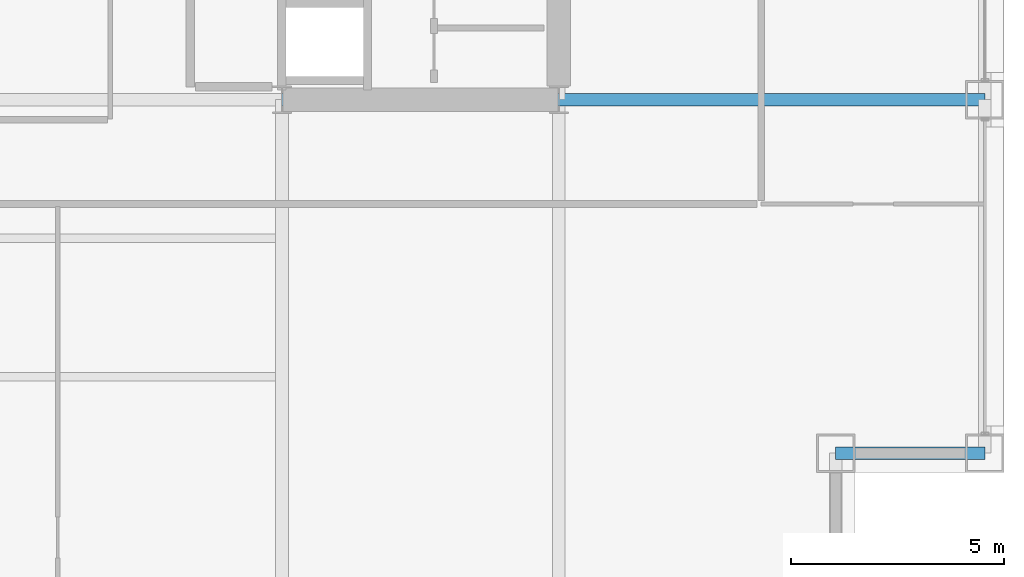
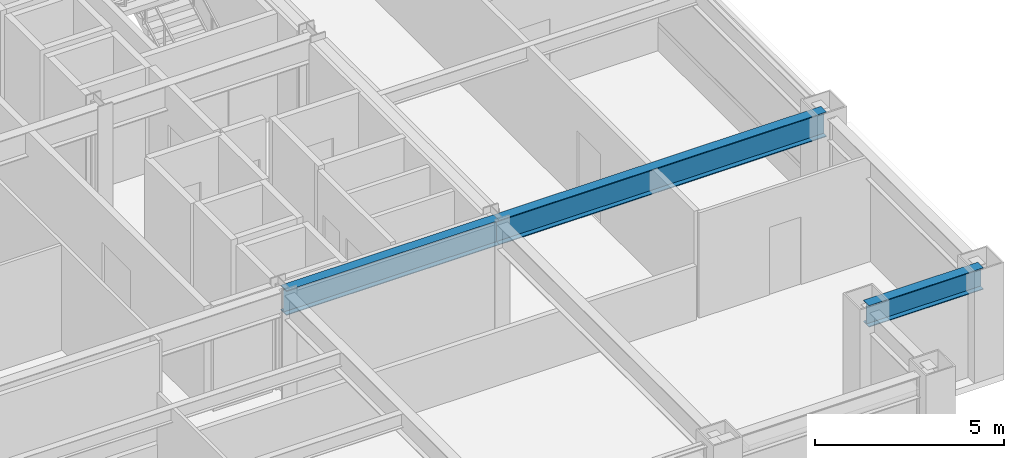
# One storey, part 12 of 29: 3 beams.
"""IFC4 building model written with IfcOpenShell, lengths in metres."""

from ifc_helpers import new_model, si_unit, direction, frame, origin, origin_2d, place, context, subcontext, project, spatial, i_section, extrude, material, material_profile, profile_set, type_object, element, save


model = new_model("IFC4")

# Units and contexts
model_context = context("Model", 3, precision=1e-05, world=origin(), true_north=direction((0.0, 1.0)))
body_context = subcontext(model_context, "Body", "Model", "MODEL_VIEW")
ifc_project = project(units=[si_unit("LENGTHUNIT", "METRE"), si_unit("AREAUNIT", "SQUARE_METRE"), si_unit("VOLUMEUNIT", "CUBIC_METRE"), si_unit("PLANEANGLEUNIT", "RADIAN"), si_unit("MASSUNIT", "GRAM", prefix="KILO")], contexts=[model_context])

# Site, building, storey
site_placement = place(None, origin())
site = spatial("IfcSite", under=ifc_project, at=site_placement, CompositionType="ELEMENT")
building_placement = place(site_placement, origin())
building = spatial("IfcBuilding", under=site, at=building_placement, Name="Brelmoor Portico Tower", CompositionType="ELEMENT")
storey_placement = place(building_placement, frame((0.0, 0.0, 52.800048828125)))
storey = spatial("IfcBuildingStorey", under=building, at=storey_placement, Name="L13", CompositionType="ELEMENT", Elevation=52.800048828125)

# Beams
ifc_material = material(Name="Steel Q355B", Category="steel")
ifc_material_profile_1 = material_profile(ifc_material, i_section(OverallWidth=0.300048828125, OverallDepth=0.800048828125, WebThickness=0.013916015625, FlangeThickness=0.02587890625, at=origin_2d()), Name="HN 800x300x14x26")
ifc_profile_set_1 = profile_set([ifc_material_profile_1], Name="Steel Q355B")
beam_type_1 = type_object("IfcBeamType", Name="BM-PG-800", PredefinedType="BEAM", material=ifc_profile_set_1)
beam_1_placement = place(storey_placement, frame((8.050048828125, -9.75, 3.0), z_axis=(1.0, 0.0, 0.0), x_axis=(0.0, 1.0, 0.0)))
element("IfcBeam", 1, at=beam_1_placement, inside=storey, type_object=beam_type_1, Name="L13 Primary Floor Girder PG-22", PredefinedType="BEAM", context=body_context, shape_type="SweptSolid", body=[
    extrude(i_section(OverallWidth=0.300048828125, OverallDepth=0.800048828125, WebThickness=0.013916015625, FlangeThickness=0.02587890625, at=origin_2d()), origin(), (0.0, 0.0, 1.0), 6.5),
])
beam_2_placement = place(storey_placement, frame((14.550048828125, -9.75, 3.0), z_axis=(1.0, 0.0, 0.0), x_axis=(0.0, 1.0, 0.0)))
element("IfcBeam", 2, at=beam_2_placement, inside=storey, type_object=beam_type_1, Name="L13 Primary Floor Girder PG-23", PredefinedType="BEAM", context=body_context, shape_type="SweptSolid", body=[
    extrude(i_section(OverallWidth=0.300048828125, OverallDepth=0.800048828125, WebThickness=0.013916015625, FlangeThickness=0.02587890625, at=origin_2d()), origin(), (0.0, 0.0, 1.0), 10.0),
])
ifc_material_profile_2 = material_profile(ifc_material, i_section(OverallWidth=0.300048828125, OverallDepth=0.699951171875, WebThickness=0.012939453125, FlangeThickness=0.02392578125, at=origin_2d()), Name="HN 700x300x13x24")
ifc_profile_set_2 = profile_set([ifc_material_profile_2], Name="Steel Q355B")
beam_type_2 = type_object("IfcBeamType", Name="BM-SP-700", PredefinedType="SPANDREL", material=ifc_profile_set_2)
beam_3_placement = place(storey_placement, frame((21.050048828125, -18.050048828125, 3.050048828125), z_axis=(1.0, 0.0, 0.0), x_axis=(0.0, 1.0, 0.0)))
element("IfcBeam", 3, at=beam_3_placement, inside=storey, type_object=beam_type_2, Name="L13 Perimeter Spandrel Beam SP-07", PredefinedType="SPANDREL", context=body_context, shape_type="SweptSolid", body=[
    extrude(i_section(OverallWidth=0.300048828125, OverallDepth=0.699951171875, WebThickness=0.012939453125, FlangeThickness=0.02392578125, at=origin_2d()), origin(), (0.0, 0.0, 1.0), 3.5),
])

save(model, "model.ifc")
